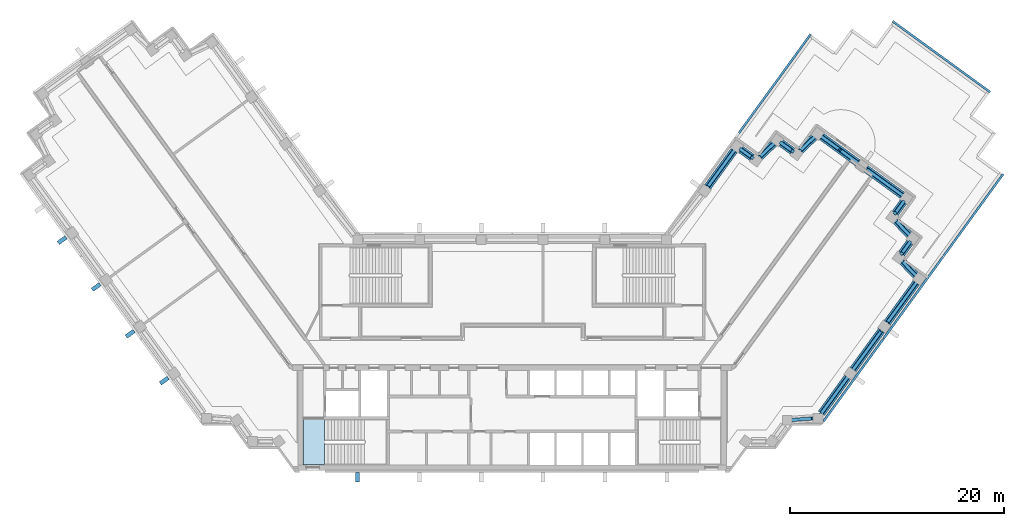
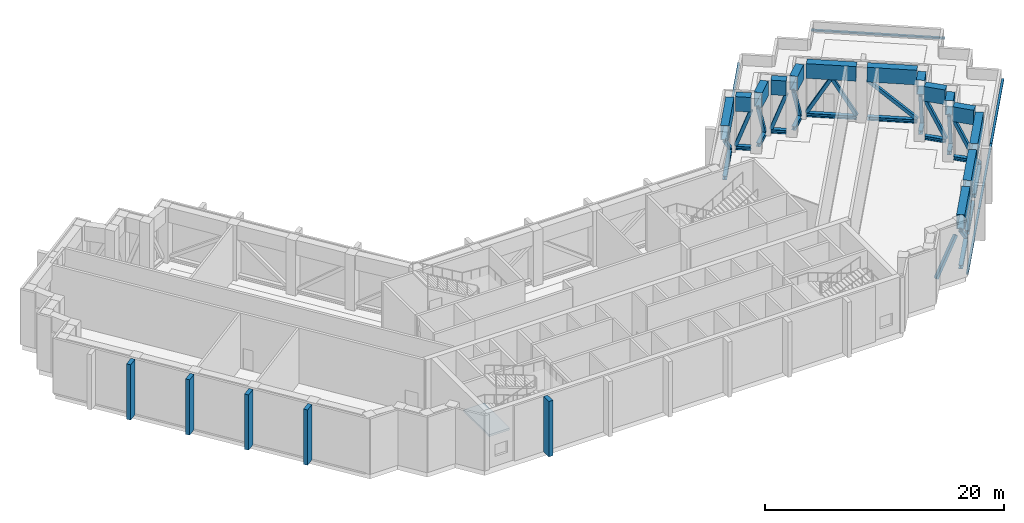
"""IFC4 building model written with IfcOpenShell, lengths in metres."""

from ifc_helpers import new_model, si_unit, direction, frame, origin, origin_2d, place, context, subcontext, project, spatial, polyline, rectangle, hollow_rectangle, i_section, outline, extrude, material, layer, layer_set, material_profile, profile_set, type_object, element, aggregate, save


model = new_model("IFC4")

# Units and contexts
model_context = context("Model", 3, precision=1e-05, world=origin(), true_north=direction((0.0, 1.0)))
body_context = subcontext(model_context, "Body", "Model", "MODEL_VIEW")
ifc_project = project(units=[si_unit("LENGTHUNIT", "METRE"), si_unit("AREAUNIT", "SQUARE_METRE"), si_unit("VOLUMEUNIT", "CUBIC_METRE"), si_unit("PLANEANGLEUNIT", "RADIAN"), si_unit("MASSUNIT", "GRAM", prefix="KILO")], contexts=[model_context])

# Site, building, storey
site_placement = place(None, origin())
site = spatial("IfcSite", under=ifc_project, at=site_placement, CompositionType="ELEMENT")
building_placement = place(site_placement, origin())
building = spatial("IfcBuilding", under=site, at=building_placement, Name="Quipu Civic Tower", CompositionType="ELEMENT")
storey_1_placement = place(building_placement, frame((0.0, 0.0, 188.0)))
storey_1 = spatial("IfcBuildingStorey", under=building, at=storey_1_placement, Name="L44", CompositionType="ELEMENT", Elevation=188.0)

# Beams
ifc_material_1 = material(Name="Steel ASTM A992 Grade 50 (fy 345 MPa)", Category="steel")
ifc_material_profile_1 = material_profile(ifc_material_1, i_section(OverallWidth=0.3740234375, OverallDepth=0.372314453125, WebThickness=0.016357421875, FlangeThickness=0.026123046875, at=origin_2d()), Name="W360x196")
ifc_profile_set_1 = profile_set([ifc_material_profile_1], Name="Steel ASTM A992 Grade 50 (fy 345 MPa)")
beam_type_1 = type_object("IfcBeamType", Name="Belt truss bottom chord W360x196", PredefinedType="BEAM", material=ifc_profile_set_1)
beam_1_placement = place(storey_1_placement, frame((28.85205078125, -5.679931640625, 0.2861328125), z_axis=(0.587750565781, 0.809042194464, 0.0), x_axis=(-0.809042194464, 0.587750565781, 0.0)))
element("IfcBeam", 1, at=beam_1_placement, inside=storey_1, type_object=beam_type_1, Name="Truss bottom chord L44 J-Eo.4 to E-OUT-01", PredefinedType="BEAM", context=body_context, shape_type="SweptSolid", body=[
    extrude(i_section(OverallWidth=0.3740234375, OverallDepth=0.372314453125, WebThickness=0.016357421875, FlangeThickness=0.026123046875, at=origin_2d()), origin(), (0.0, 0.0, 1.0), 4.13720703125),
])
beam_2_placement = place(storey_1_placement, frame((31.812744140625, -1.604736328125, 0.2861328125), z_axis=(0.587778073121, 0.809022210299, 0.0), x_axis=(-0.809022210299, 0.587778073121, 0.0)))
element("IfcBeam", 2, at=beam_2_placement, inside=storey_1, type_object=beam_type_1, Name="Truss bottom chord L44 E-OUT-01 to E-OUT-02", PredefinedType="BEAM", context=body_context, shape_type="SweptSolid", body=[
    extrude(i_section(OverallWidth=0.3740234375, OverallDepth=0.372314453125, WebThickness=0.016357421875, FlangeThickness=0.026123046875, at=origin_2d()), origin(), (0.0, 0.0, 1.0), 4.5),
])
beam_3_placement = place(storey_1_placement, frame((34.98681640625, 2.763916015625, 0.2861328125), z_axis=(0.587910160294, 0.808926228666, 0.0), x_axis=(-0.808926228666, 0.587910160294, 0.0)))
element("IfcBeam", 3, at=beam_3_placement, inside=storey_1, type_object=beam_type_1, Name="Truss bottom chord L44 E-OUT-02 to T-Eo.0-E22", PredefinedType="BEAM", context=body_context, shape_type="SweptSolid", body=[
    extrude(i_section(OverallWidth=0.3740234375, OverallDepth=0.372314453125, WebThickness=0.016357421875, FlangeThickness=0.026123046875, at=origin_2d()), origin(), (0.0, 0.0, 1.0), 4.607421875),
])
beam_4_placement = place(storey_1_placement, frame((37.644775390625, 7.1865234375, 0.2861328125), z_axis=(-0.689208641143, 0.724562936517, 0.0), x_axis=(-0.724562936517, -0.689208641143, 0.0)))
element("IfcBeam", 4, at=beam_4_placement, inside=storey_1, type_object=beam_type_1, Name="Truss bottom chord L44 T-Eo.0-E22 to T-Eo.1-E22", PredefinedType="BEAM", context=body_context, shape_type="SweptSolid", body=[
    extrude(i_section(OverallWidth=0.3740234375, OverallDepth=0.372314453125, WebThickness=0.016357421875, FlangeThickness=0.026123046875, at=origin_2d()), origin(), (0.0, 0.0, 1.0), 1.830078125),
])
beam_5_placement = place(storey_1_placement, frame((36.33251953125, 9.208251953125, 0.2861328125), z_axis=(0.587032192195, 0.809563589428, 0.0), x_axis=(-0.809563589428, 0.587032192195, 0.0)))
element("IfcBeam", 5, at=beam_5_placement, inside=storey_1, type_object=beam_type_1, Name="Truss bottom chord L44 T-Eo.1-E22 to T-Eo.2-E22", PredefinedType="BEAM", context=body_context, shape_type="SweptSolid", body=[
    extrude(i_section(OverallWidth=0.3740234375, OverallDepth=0.372314453125, WebThickness=0.016357421875, FlangeThickness=0.026123046875, at=origin_2d()), origin(), (0.0, 0.0, 1.0), 1.300048828125),
])
beam_6_placement = place(storey_1_placement, frame((37.044921875, 10.95703125, 0.2861328125), z_axis=(-0.688247827237, 0.725475656589, 0.0), x_axis=(-0.725475656589, -0.688247827237, 0.0)))
element("IfcBeam", 6, at=beam_6_placement, inside=storey_1, type_object=beam_type_1, Name="Truss bottom chord L44 T-Eo.2-E22 to T-Eo.3-E22", PredefinedType="BEAM", context=body_context, shape_type="SweptSolid", body=[
    extrude(i_section(OverallWidth=0.3740234375, OverallDepth=0.372314453125, WebThickness=0.016357421875, FlangeThickness=0.026123046875, at=origin_2d()), origin(), (0.0, 0.0, 1.0), 1.82958984375),
])
beam_7_placement = place(storey_1_placement, frame((35.735595703125, 12.980224609375, 0.2861328125), z_axis=(0.588305713889, 0.808638600987, 0.0), x_axis=(-0.808638600987, 0.588305713889, 0.0)))
element("IfcBeam", 7, at=beam_7_placement, inside=storey_1, type_object=beam_type_1, Name="Truss bottom chord L44 T-Eo.3-E22 to T-Eo.4-E22", PredefinedType="BEAM", context=body_context, shape_type="SweptSolid", body=[
    extrude(i_section(OverallWidth=0.3740234375, OverallDepth=0.372314453125, WebThickness=0.016357421875, FlangeThickness=0.026123046875, at=origin_2d()), origin(), (0.0, 0.0, 1.0), 1.2998046875),
])
beam_8_placement = place(storey_1_placement, frame((36.40087890625, 14.659423828125, 0.2861328125), z_axis=(-0.809122834537, 0.587639548219, 0.0), x_axis=(-0.587639548219, -0.809122834537, 0.0)))
element("IfcBeam", 8, at=beam_8_placement, inside=storey_1, type_object=beam_type_1, Name="Truss bottom chord L44 T-Eo.4-E22 to TIP-E-01-E22", PredefinedType="BEAM", context=body_context, shape_type="SweptSolid", body=[
    extrude(i_section(OverallWidth=0.3740234375, OverallDepth=0.372314453125, WebThickness=0.016357421875, FlangeThickness=0.026123046875, at=origin_2d()), origin(), (0.0, 0.0, 1.0), 4.201904296875),
])
beam_9_placement = place(storey_1_placement, frame((32.272705078125, 17.657470703125, 0.2861328125), z_axis=(-0.809160658502, 0.587587464751, 0.0), x_axis=(-0.587587464751, -0.809160658502, 0.0)))
element("IfcBeam", 9, at=beam_9_placement, inside=storey_1, type_object=beam_type_1, Name="Truss bottom chord L44 TIP-E-01-E22 to T-Ei.0-E22", PredefinedType="BEAM", context=body_context, shape_type="SweptSolid", body=[
    extrude(i_section(OverallWidth=0.3740234375, OverallDepth=0.372314453125, WebThickness=0.016357421875, FlangeThickness=0.026123046875, at=origin_2d()), origin(), (0.0, 0.0, 1.0), 4.2001953125),
])
beam_10_placement = place(storey_1_placement, frame((28.177978515625, 20.074951171875, 0.2861328125), z_axis=(-0.725282573816, -0.688451296839, 0.0), x_axis=(0.688451296839, -0.725282573816, 0.0)))
element("IfcBeam", 10, at=beam_10_placement, inside=storey_1, type_object=beam_type_1, Name="Truss bottom chord L44 T-Ei.0-E22 to T-Ei.1-E22", PredefinedType="BEAM", context=body_context, shape_type="SweptSolid", body=[
    extrude(i_section(OverallWidth=0.3740234375, OverallDepth=0.372314453125, WebThickness=0.016357421875, FlangeThickness=0.026123046875, at=origin_2d()), origin(), (0.0, 0.0, 1.0), 1.82958984375),
])
beam_11_placement = place(storey_1_placement, frame((26.155029296875, 18.765380859375, 0.2861328125), z_axis=(-0.808614258659, 0.588339171477, 0.0), x_axis=(-0.588339171477, -0.808614258659, 0.0)))
element("IfcBeam", 11, at=beam_11_placement, inside=storey_1, type_object=beam_type_1, Name="Truss bottom chord L44 T-Ei.1-E22 to T-Ei.2-E22", PredefinedType="BEAM", context=body_context, shape_type="SweptSolid", body=[
    extrude(i_section(OverallWidth=0.3740234375, OverallDepth=0.372314453125, WebThickness=0.016357421875, FlangeThickness=0.026123046875, at=origin_2d()), origin(), (0.0, 0.0, 1.0), 1.300048828125),
])
beam_12_placement = place(storey_1_placement, frame((24.408203125, 19.479736328125, 0.2861328125), z_axis=(-0.725145961037, -0.688595189638, 0.0), x_axis=(0.688595189638, -0.725145961037, 0.0)))
element("IfcBeam", 12, at=beam_12_placement, inside=storey_1, type_object=beam_type_1, Name="Truss bottom chord L44 T-Ei.2-E22 to T-Ei.3-E22", PredefinedType="BEAM", context=body_context, shape_type="SweptSolid", body=[
    extrude(i_section(OverallWidth=0.3740234375, OverallDepth=0.372314453125, WebThickness=0.016357421875, FlangeThickness=0.026123046875, at=origin_2d()), origin(), (0.0, 0.0, 1.0), 1.830078125),
])
beam_13_placement = place(storey_1_placement, frame((22.385009765625, 18.16845703125, 0.2861328125), z_axis=(-0.809467418951, 0.587164795996, 0.0), x_axis=(-0.587164795996, -0.809467418951, 0.0)))
element("IfcBeam", 13, at=beam_13_placement, inside=storey_1, type_object=beam_type_1, Name="Truss bottom chord L44 T-Ei.3-E22 to T-Ei.4-E22", PredefinedType="BEAM", context=body_context, shape_type="SweptSolid", body=[
    extrude(i_section(OverallWidth=0.3740234375, OverallDepth=0.372314453125, WebThickness=0.016357421875, FlangeThickness=0.026123046875, at=origin_2d()), origin(), (0.0, 0.0, 1.0), 1.298095703125),
])
beam_14_placement = place(storey_1_placement, frame((20.705322265625, 18.8310546875, 0.2861328125), z_axis=(-0.588182080503, -0.808728533054, 0.0), x_axis=(0.808728533054, -0.588182080503, 0.0)))
element("IfcBeam", 14, at=beam_14_placement, inside=storey_1, type_object=beam_type_1, Name="Truss bottom chord L44 T-Ei.4-E22 to E-IN-01", PredefinedType="BEAM", context=body_context, shape_type="SweptSolid", body=[
    extrude(i_section(OverallWidth=0.3740234375, OverallDepth=0.372314453125, WebThickness=0.016357421875, FlangeThickness=0.026123046875, at=origin_2d()), origin(), (0.0, 0.0, 1.0), 4.1943359375),
])

# Members
ifc_material_2 = material(Name="Steel ASTM A500 Grade C (fy 345 MPa)", Category="steel")
ifc_material_profile_2 = material_profile(ifc_material_2, hollow_rectangle(XDim=0.3046875, YDim=0.3046875, WallThickness=0.0126953125, at=origin_2d()), Name="HSS305x305x13")
ifc_profile_set_2 = profile_set([ifc_material_profile_2], Name="Steel ASTM A500 Grade C (fy 345 MPa)")
member_type_1 = type_object("IfcMemberType", Name="Belt truss diagonal HSS305x305x13", PredefinedType="BRACE", material=ifc_profile_set_2)
member_1_placement = place(storey_1_placement, frame((26.123291015625, -6.304443359375, 0.472412109375), z_axis=(0.468736130303, 0.03404621724, 0.882681876579), x_axis=(-0.072443235904, 0.997372537005, 0.0)))
element("IfcMember", 15, at=member_1_placement, inside=storey_1, type_object=member_type_1, Name="Truss diagonal L44 J-Eo.3 to J-Eo.4", PredefinedType="BRACE", context=body_context, shape_type="SweptSolid", body=[
    extrude(hollow_rectangle(XDim=0.3046875, YDim=0.3046875, WallThickness=0.0126953125, at=origin_2d()), origin(), (0.0, 0.0, 1.0), 4.166259765625),
])
member_2_placement = place(storey_1_placement, frame((28.78955078125, -5.765869140625, 4.14990234375), z_axis=(0.444173716146, 0.611391033325, -0.654912753163), x_axis=(-0.809034531764, 0.58776111339, 0.0)))
element("IfcMember", 16, at=member_2_placement, inside=storey_1, type_object=member_type_1, Name="Truss diagonal L44 J-Eo.4 to E-OUT-01", PredefinedType="BRACE", context=body_context, shape_type="SweptSolid", body=[
    extrude(hollow_rectangle(XDim=0.3046875, YDim=0.3046875, WallThickness=0.0126953125, at=origin_2d()), origin(), (0.0, 0.0, 1.0), 5.615234375),
])
member_3_placement = place(storey_1_placement, frame((31.812744140625, -1.604736328125, 0.472412109375), z_axis=(0.455130838756, 0.626445548046, 0.632788981372), x_axis=(-0.809022210299, 0.587778073121, 0.0)))
element("IfcMember", 17, at=member_3_placement, inside=storey_1, type_object=member_type_1, Name="Truss diagonal L44 E-OUT-01 to E-OUT-02", PredefinedType="BRACE", context=body_context, shape_type="SweptSolid", body=[
    extrude(hollow_rectangle(XDim=0.3046875, YDim=0.3046875, WallThickness=0.0126953125, at=origin_2d()), origin(), (0.0, 0.0, 1.0), 5.8115234375),
])
member_4_placement = place(storey_1_placement, frame((34.98681640625, 2.763916015625, 4.14990234375), z_axis=(0.459490709171, 0.632229397584, -0.623822312054), x_axis=(-0.808926228666, 0.587910160294, 0.0)))
element("IfcMember", 18, at=member_4_placement, inside=storey_1, type_object=member_type_1, Name="Truss diagonal L44 E-OUT-02 to T-Eo.0-E22", PredefinedType="BRACE", context=body_context, shape_type="SweptSolid", body=[
    extrude(hollow_rectangle(XDim=0.3046875, YDim=0.3046875, WallThickness=0.0126953125, at=origin_2d()), origin(), (0.0, 0.0, 1.0), 5.89501953125),
])
member_5_placement = place(storey_1_placement, frame((37.64990234375, 7.18115234375, 0.472412109375), z_axis=(-0.30903587141, 0.324938638987, 0.893818611954), x_axis=(-0.724616080803, -0.689152766403, 0.0)))
element("IfcMember", 19, at=member_5_placement, inside=storey_1, type_object=member_type_1, Name="Truss diagonal L44 T-Eo.0-E22 to T-Eo.1-E22", PredefinedType="BRACE", context=body_context, shape_type="SweptSolid", body=[
    extrude(hollow_rectangle(XDim=0.3046875, YDim=0.3046875, WallThickness=0.0126953125, at=origin_2d()), origin(), (0.0, 0.0, 1.0), 4.1142578125),
])
member_6_placement = place(storey_1_placement, frame((36.33251953125, 9.208251953125, 4.14990234375), z_axis=(0.195661607298, 0.269832754018, -0.942818551095), x_axis=(-0.809563589428, 0.587032192195, 0.0)))
element("IfcMember", 20, at=member_6_placement, inside=storey_1, type_object=member_type_1, Name="Truss diagonal L44 T-Eo.1-E22 to T-Eo.2-E22", PredefinedType="BRACE", context=body_context, shape_type="SweptSolid", body=[
    extrude(hollow_rectangle(XDim=0.3046875, YDim=0.3046875, WallThickness=0.0126953125, at=origin_2d()), origin(), (0.0, 0.0, 1.0), 3.900634765625),
])
member_7_placement = place(storey_1_placement, frame((37.05029296875, 10.951416015625, 0.472412109375), z_axis=(-0.308618408783, 0.325351804529, 0.893812553643), x_axis=(-0.725517906801, -0.688203288942, 0.0)))
element("IfcMember", 21, at=member_7_placement, inside=storey_1, type_object=member_type_1, Name="Truss diagonal L44 T-Eo.2-E22 to T-Eo.3-E22", PredefinedType="BRACE", context=body_context, shape_type="SweptSolid", body=[
    extrude(hollow_rectangle(XDim=0.3046875, YDim=0.3046875, WallThickness=0.0126953125, at=origin_2d()), origin(), (0.0, 0.0, 1.0), 4.114501953125),
])
member_8_placement = place(storey_1_placement, frame((35.735595703125, 12.980224609375, 4.14990234375), z_axis=(0.196042590596, 0.26946467194, -0.942844681402), x_axis=(-0.808638600987, 0.588305713889, 0.0)))
element("IfcMember", 22, at=member_8_placement, inside=storey_1, type_object=member_type_1, Name="Truss diagonal L44 T-Eo.3-E22 to T-Eo.4-E22", PredefinedType="BRACE", context=body_context, shape_type="SweptSolid", body=[
    extrude(hollow_rectangle(XDim=0.3046875, YDim=0.3046875, WallThickness=0.0126953125, at=origin_2d()), origin(), (0.0, 0.0, 1.0), 3.900390625),
])
member_9_placement = place(storey_1_placement, frame((36.40087890625, 14.659423828125, 0.472412109375), z_axis=(-0.608871359085, 0.442203427099, 0.658583174055), x_axis=(-0.587639548219, -0.809122834537, 0.0)))
element("IfcMember", 23, at=member_9_placement, inside=storey_1, type_object=member_type_1, Name="Truss diagonal L44 T-Eo.4-E22 to TIP-E-01-E22", PredefinedType="BRACE", context=body_context, shape_type="SweptSolid", body=[
    extrude(hollow_rectangle(XDim=0.3046875, YDim=0.3046875, WallThickness=0.0126953125, at=origin_2d()), origin(), (0.0, 0.0, 1.0), 5.583984375),
])
for number, where, z_axis, x_axis, name in (
    (24, (32.272705078125, 17.657470703125, 0.472412109375), (-0.401241991357, 0.291419291136, 0.868377602846), (-0.587653156371, -0.809112951205, 0.0), "Truss diagonal L44 TIP-E-01-E22 to T-Ei.0-E22 half 1"),
    (25, (28.8740234375, 20.12548828125, 0.472412109375), (0.401297099032, -0.291359795792, 0.8683721021), (0.58752177095, 0.809208359237, 0.0), "Truss diagonal L44 TIP-E-01-E22 to T-Ei.0-E22 half 2"),
):
    element("IfcMember", number, at=place(storey_1_placement, frame(where, z_axis=z_axis, x_axis=x_axis)), inside=storey_1, type_object=member_type_1, Name=name, PredefinedType="BRACE", context=body_context, shape_type="SweptSolid", body=[
        extrude(hollow_rectangle(XDim=0.3046875, YDim=0.3046875, WallThickness=0.0126953125, at=origin_2d()), origin(), (0.0, 0.0, 1.0), 4.23486328125),
    ])
member_10_placement = place(storey_1_placement, frame((28.18359375, 20.080322265625, 0.472412109375), z_axis=(-0.325239727127, -0.308684010311, 0.893830689603), x_axis=(0.688405070588, -0.725326449806, 0.0)))
element("IfcMember", 26, at=member_10_placement, inside=storey_1, type_object=member_type_1, Name="Truss diagonal L44 T-Ei.0-E22 to T-Ei.1-E22", PredefinedType="BRACE", context=body_context, shape_type="SweptSolid", body=[
    extrude(hollow_rectangle(XDim=0.3046875, YDim=0.3046875, WallThickness=0.0126953125, at=origin_2d()), origin(), (0.0, 0.0, 1.0), 4.1142578125),
])
member_11_placement = place(storey_1_placement, frame((26.155029296875, 18.765380859375, 4.14990234375), z_axis=(-0.269519411245, 0.196099469445, -0.942817206592), x_axis=(-0.588339171477, -0.808614258659, 0.0)))
element("IfcMember", 27, at=member_11_placement, inside=storey_1, type_object=member_type_1, Name="Truss diagonal L44 T-Ei.1-E22 to T-Ei.2-E22", PredefinedType="BRACE", context=body_context, shape_type="SweptSolid", body=[
    extrude(hollow_rectangle(XDim=0.3046875, YDim=0.3046875, WallThickness=0.0126953125, at=origin_2d()), origin(), (0.0, 0.0, 1.0), 3.900634765625),
])
member_12_placement = place(storey_1_placement, frame((24.413818359375, 19.485107421875, 0.472412109375), z_axis=(-0.325215890725, -0.308898727808, 0.893765181901), x_axis=(0.688683402733, -0.725062184092, 0.0)))
element("IfcMember", 28, at=member_12_placement, inside=storey_1, type_object=member_type_1, Name="Truss diagonal L44 T-Ei.2-E22 to T-Ei.3-E22", PredefinedType="BRACE", context=body_context, shape_type="SweptSolid", body=[
    extrude(hollow_rectangle(XDim=0.3046875, YDim=0.3046875, WallThickness=0.0126953125, at=origin_2d()), origin(), (0.0, 0.0, 1.0), 4.114501953125),
])
member_13_placement = place(storey_1_placement, frame((22.385009765625, 18.16845703125, 4.14990234375), z_axis=(-0.269439635263, 0.195443898999, -0.942976121274), x_axis=(-0.587164795996, -0.809467418951, 0.0)))
element("IfcMember", 29, at=member_13_placement, inside=storey_1, type_object=member_type_1, Name="Truss diagonal L44 T-Ei.3-E22 to T-Ei.4-E22", PredefinedType="BRACE", context=body_context, shape_type="SweptSolid", body=[
    extrude(hollow_rectangle(XDim=0.3046875, YDim=0.3046875, WallThickness=0.0126953125, at=origin_2d()), origin(), (0.0, 0.0, 1.0), 3.89990234375),
])
member_14_placement = place(storey_1_placement, frame((20.705322265625, 18.8310546875, 0.472412109375), z_axis=(-0.442263403771, -0.60809576764, 0.659259144088), x_axis=(0.808728533054, -0.588182080503, 0.0)))
element("IfcMember", 30, at=member_14_placement, inside=storey_1, type_object=member_type_1, Name="Truss diagonal L44 T-Ei.4-E22 to E-IN-01", PredefinedType="BRACE", context=body_context, shape_type="SweptSolid", body=[
    extrude(hollow_rectangle(XDim=0.3046875, YDim=0.3046875, WallThickness=0.0126953125, at=origin_2d()), origin(), (0.0, 0.0, 1.0), 5.578125),
])

# Beams
ifc_material_3 = material(Name="Steel ASTM A572 Grade 50 (fy 345 MPa)", Category="steel")
ifc_material_profile_3 = material_profile(ifc_material_3, hollow_rectangle(XDim=0.699951171875, YDim=1.5, WallThickness=0.050048828125, at=origin_2d()), Name="BX1500x700x50")
ifc_profile_set_3 = profile_set([ifc_material_profile_3], Name="Steel ASTM A572 Grade 50 (fy 345 MPa)")
beam_type_2 = type_object("IfcBeamType", Name="Belt truss top chord BX1500x700x50", PredefinedType="BEAM", material=ifc_profile_set_3)
beam_15_placement = place(storey_1_placement, frame((28.85205078125, -5.679931640625, 4.89990234375), z_axis=(0.587750565781, 0.809042194464, 0.0), x_axis=(-0.809042194464, 0.587750565781, 0.0)))
element("IfcBeam", 31, at=beam_15_placement, inside=storey_1, type_object=beam_type_2, Name="Truss top chord L44 J-Eo.4 to E-OUT-01", PredefinedType="BEAM", context=body_context, shape_type="SweptSolid", body=[
    extrude(hollow_rectangle(XDim=0.699951171875, YDim=1.5, WallThickness=0.050048828125, at=origin_2d()), origin(), (0.0, 0.0, 1.0), 4.13720703125),
])
beam_16_placement = place(storey_1_placement, frame((31.812744140625, -1.604736328125, 4.89990234375), z_axis=(0.587778073121, 0.809022210299, 0.0), x_axis=(-0.809022210299, 0.587778073121, 0.0)))
element("IfcBeam", 32, at=beam_16_placement, inside=storey_1, type_object=beam_type_2, Name="Truss top chord L44 E-OUT-01 to E-OUT-02", PredefinedType="BEAM", context=body_context, shape_type="SweptSolid", body=[
    extrude(hollow_rectangle(XDim=0.699951171875, YDim=1.5, WallThickness=0.050048828125, at=origin_2d()), origin(), (0.0, 0.0, 1.0), 4.5),
])
beam_17_placement = place(storey_1_placement, frame((34.98681640625, 2.763916015625, 4.89990234375), z_axis=(0.587910160294, 0.808926228666, 0.0), x_axis=(-0.808926228666, 0.587910160294, 0.0)))
element("IfcBeam", 33, at=beam_17_placement, inside=storey_1, type_object=beam_type_2, Name="Truss top chord L44 E-OUT-02 to T-Eo.0-E22", PredefinedType="BEAM", context=body_context, shape_type="SweptSolid", body=[
    extrude(hollow_rectangle(XDim=0.699951171875, YDim=1.5, WallThickness=0.050048828125, at=origin_2d()), origin(), (0.0, 0.0, 1.0), 4.607421875),
])
beam_18_placement = place(storey_1_placement, frame((37.644775390625, 7.1865234375, 4.89990234375), z_axis=(-0.689208641143, 0.724562936517, 0.0), x_axis=(-0.724562936517, -0.689208641143, 0.0)))
element("IfcBeam", 34, at=beam_18_placement, inside=storey_1, type_object=beam_type_2, Name="Truss top chord L44 T-Eo.0-E22 to T-Eo.1-E22", PredefinedType="BEAM", context=body_context, shape_type="SweptSolid", body=[
    extrude(hollow_rectangle(XDim=0.699951171875, YDim=1.5, WallThickness=0.050048828125, at=origin_2d()), origin(), (0.0, 0.0, 1.0), 1.830078125),
])
beam_19_placement = place(storey_1_placement, frame((36.33251953125, 9.208251953125, 4.89990234375), z_axis=(0.587032192195, 0.809563589428, 0.0), x_axis=(-0.809563589428, 0.587032192195, 0.0)))
element("IfcBeam", 35, at=beam_19_placement, inside=storey_1, type_object=beam_type_2, Name="Truss top chord L44 T-Eo.1-E22 to T-Eo.2-E22", PredefinedType="BEAM", context=body_context, shape_type="SweptSolid", body=[
    extrude(hollow_rectangle(XDim=0.699951171875, YDim=1.5, WallThickness=0.050048828125, at=origin_2d()), origin(), (0.0, 0.0, 1.0), 1.300048828125),
])
beam_20_placement = place(storey_1_placement, frame((37.044921875, 10.95703125, 4.89990234375), z_axis=(-0.688247827237, 0.725475656589, 0.0), x_axis=(-0.725475656589, -0.688247827237, 0.0)))
element("IfcBeam", 36, at=beam_20_placement, inside=storey_1, type_object=beam_type_2, Name="Truss top chord L44 T-Eo.2-E22 to T-Eo.3-E22", PredefinedType="BEAM", context=body_context, shape_type="SweptSolid", body=[
    extrude(hollow_rectangle(XDim=0.699951171875, YDim=1.5, WallThickness=0.050048828125, at=origin_2d()), origin(), (0.0, 0.0, 1.0), 1.82958984375),
])
beam_21_placement = place(storey_1_placement, frame((35.735595703125, 12.980224609375, 4.89990234375), z_axis=(0.588305713889, 0.808638600987, 0.0), x_axis=(-0.808638600987, 0.588305713889, 0.0)))
element("IfcBeam", 37, at=beam_21_placement, inside=storey_1, type_object=beam_type_2, Name="Truss top chord L44 T-Eo.3-E22 to T-Eo.4-E22", PredefinedType="BEAM", context=body_context, shape_type="SweptSolid", body=[
    extrude(hollow_rectangle(XDim=0.699951171875, YDim=1.5, WallThickness=0.050048828125, at=origin_2d()), origin(), (0.0, 0.0, 1.0), 1.2998046875),
])
beam_22_placement = place(storey_1_placement, frame((36.40087890625, 14.659423828125, 4.89990234375), z_axis=(-0.809122834537, 0.587639548219, 0.0), x_axis=(-0.587639548219, -0.809122834537, 0.0)))
element("IfcBeam", 38, at=beam_22_placement, inside=storey_1, type_object=beam_type_2, Name="Truss top chord L44 T-Eo.4-E22 to TIP-E-01-E22", PredefinedType="BEAM", context=body_context, shape_type="SweptSolid", body=[
    extrude(hollow_rectangle(XDim=0.699951171875, YDim=1.5, WallThickness=0.050048828125, at=origin_2d()), origin(), (0.0, 0.0, 1.0), 4.201904296875),
])
beam_23_placement = place(storey_1_placement, frame((32.272705078125, 17.657470703125, 4.89990234375), z_axis=(-0.809160658502, 0.587587464751, 0.0), x_axis=(-0.587587464751, -0.809160658502, 0.0)))
element("IfcBeam", 39, at=beam_23_placement, inside=storey_1, type_object=beam_type_2, Name="Truss top chord L44 TIP-E-01-E22 to T-Ei.0-E22", PredefinedType="BEAM", context=body_context, shape_type="SweptSolid", body=[
    extrude(hollow_rectangle(XDim=0.699951171875, YDim=1.5, WallThickness=0.050048828125, at=origin_2d()), origin(), (0.0, 0.0, 1.0), 4.2001953125),
])
beam_24_placement = place(storey_1_placement, frame((28.177978515625, 20.074951171875, 4.89990234375), z_axis=(-0.725282573816, -0.688451296839, 0.0), x_axis=(0.688451296839, -0.725282573816, 0.0)))
element("IfcBeam", 40, at=beam_24_placement, inside=storey_1, type_object=beam_type_2, Name="Truss top chord L44 T-Ei.0-E22 to T-Ei.1-E22", PredefinedType="BEAM", context=body_context, shape_type="SweptSolid", body=[
    extrude(hollow_rectangle(XDim=0.699951171875, YDim=1.5, WallThickness=0.050048828125, at=origin_2d()), origin(), (0.0, 0.0, 1.0), 1.82958984375),
])
beam_25_placement = place(storey_1_placement, frame((26.155029296875, 18.765380859375, 4.89990234375), z_axis=(-0.808614258659, 0.588339171477, 0.0), x_axis=(-0.588339171477, -0.808614258659, 0.0)))
element("IfcBeam", 41, at=beam_25_placement, inside=storey_1, type_object=beam_type_2, Name="Truss top chord L44 T-Ei.1-E22 to T-Ei.2-E22", PredefinedType="BEAM", context=body_context, shape_type="SweptSolid", body=[
    extrude(hollow_rectangle(XDim=0.699951171875, YDim=1.5, WallThickness=0.050048828125, at=origin_2d()), origin(), (0.0, 0.0, 1.0), 1.300048828125),
])
beam_26_placement = place(storey_1_placement, frame((24.408203125, 19.479736328125, 4.89990234375), z_axis=(-0.725145961037, -0.688595189638, 0.0), x_axis=(0.688595189638, -0.725145961037, 0.0)))
element("IfcBeam", 42, at=beam_26_placement, inside=storey_1, type_object=beam_type_2, Name="Truss top chord L44 T-Ei.2-E22 to T-Ei.3-E22", PredefinedType="BEAM", context=body_context, shape_type="SweptSolid", body=[
    extrude(hollow_rectangle(XDim=0.699951171875, YDim=1.5, WallThickness=0.050048828125, at=origin_2d()), origin(), (0.0, 0.0, 1.0), 1.830078125),
])
beam_27_placement = place(storey_1_placement, frame((22.385009765625, 18.16845703125, 4.89990234375), z_axis=(-0.809467418951, 0.587164795996, 0.0), x_axis=(-0.587164795996, -0.809467418951, 0.0)))
element("IfcBeam", 43, at=beam_27_placement, inside=storey_1, type_object=beam_type_2, Name="Truss top chord L44 T-Ei.3-E22 to T-Ei.4-E22", PredefinedType="BEAM", context=body_context, shape_type="SweptSolid", body=[
    extrude(hollow_rectangle(XDim=0.699951171875, YDim=1.5, WallThickness=0.050048828125, at=origin_2d()), origin(), (0.0, 0.0, 1.0), 1.298095703125),
])
beam_28_placement = place(storey_1_placement, frame((20.705322265625, 18.8310546875, 4.89990234375), z_axis=(-0.588182080503, -0.808728533054, 0.0), x_axis=(0.808728533054, -0.588182080503, 0.0)))
element("IfcBeam", 44, at=beam_28_placement, inside=storey_1, type_object=beam_type_2, Name="Truss top chord L44 T-Ei.4-E22 to E-IN-01", PredefinedType="BEAM", context=body_context, shape_type="SweptSolid", body=[
    extrude(hollow_rectangle(XDim=0.699951171875, YDim=1.5, WallThickness=0.050048828125, at=origin_2d()), origin(), (0.0, 0.0, 1.0), 4.1943359375),
])

# Storey
storey_2_placement = place(building_placement, frame((0.0, 0.0, 184.0)))
storey_2 = spatial("IfcBuildingStorey", under=building, at=storey_2_placement, Name="L43", CompositionType="ELEMENT", Elevation=184.0)

# Curtain wall, members
ifc_material_4 = material(Name="Insulated glass unit", Category="glass")
curtain_wall_type = type_object("IfcCurtainWallType", Name="Office curtain wall CW1", PredefinedType="NOTDEFINED", material=ifc_material_4)
curtain_wall_1_placement = place(storey_2_placement, origin())
curtain_wall_1 = element("IfcCurtainWall", 45, at=curtain_wall_1_placement, inside=storey_2, type_object=curtain_wall_type, Name="Office curtain wall CW1 L42 run 20", PredefinedType="NOTDEFINED")
ifc_material_5 = material(Name="Anodised aluminium", Category="aluminium")
ifc_material_profile_4 = material_profile(ifc_material_5, rectangle(XDim=0.199951171875, YDim=0.159912109375, at=origin_2d()), Name="RECT 200x160")
ifc_profile_set_4 = profile_set([ifc_material_profile_4], Name="Anodised aluminium")
member_type_2 = type_object("IfcMemberType", Name="Transom CW1", PredefinedType="USERDEFINED", material=ifc_profile_set_4)
member_15_placement = place(storey_1_placement, frame((29.052978515625, -6.424072265625, 0.0), z_axis=(0.587783783239, 0.809018061703, 0.0), x_axis=(-0.809018061703, 0.587783783239, 0.0)))
member_15 = element("IfcMember", 46, at=member_15_placement, inside=storey_1, type_object=member_type_2, Name="CW1 transom 1.3", ObjectType="TRANSOM", PredefinedType="USERDEFINED", context=body_context, shape_type="SweptSolid", body=[
    extrude(rectangle(XDim=0.199951171875, YDim=0.159912109375, at=origin_2d()), origin(), (0.0, 0.0, 1.0), 9.431884765625),
])
member_16_placement = place(storey_1_placement, frame((34.64404296875, 1.271240234375, 0.0), z_axis=(0.587773158676, 0.809025780763, 0.0), x_axis=(-0.809025780763, 0.587773158676, 0.0)))
member_16 = element("IfcMember", 47, at=member_16_placement, inside=storey_1, type_object=member_type_2, Name="CW1 transom 2.3", ObjectType="TRANSOM", PredefinedType="USERDEFINED", context=body_context, shape_type="SweptSolid", body=[
    extrude(rectangle(XDim=0.199951171875, YDim=0.159912109375, at=origin_2d()), origin(), (0.0, 0.0, 1.0), 9.471923828125),
])
member_17_placement = place(storey_1_placement, frame((40.258544921875, 8.9990234375, 0.0), z_axis=(0.587783783239, 0.809018061703, 0.0), x_axis=(-0.809018061703, 0.587783783239, 0.0)))
member_17 = element("IfcMember", 48, at=member_17_placement, inside=storey_1, type_object=member_type_2, Name="CW1 transom 3.3", ObjectType="TRANSOM", PredefinedType="USERDEFINED", context=body_context, shape_type="SweptSolid", body=[
    extrude(rectangle(XDim=0.199951171875, YDim=0.159912109375, at=origin_2d()), origin(), (0.0, 0.0, 1.0), 9.431884765625),
])
aggregate(curtain_wall_1, [member_15, member_16, member_17])

# Curtain wall, member
curtain_wall_2_placement = place(storey_2_placement, origin())
curtain_wall_2 = element("IfcCurtainWall", 49, at=curtain_wall_2_placement, inside=storey_2, type_object=curtain_wall_type, Name="Office curtain wall CW1 L42 run 25", PredefinedType="NOTDEFINED")
member_18_placement = place(storey_1_placement, frame((44.590087890625, 24.2841796875, 0.0), z_axis=(-0.809014959561, 0.587788052963, 0.0), x_axis=(-0.587788052963, -0.809014959561, 0.0)))
member_18 = element("IfcMember", 50, at=member_18_placement, inside=storey_1, type_object=member_type_2, Name="CW1 transom 1.3", ObjectType="TRANSOM", PredefinedType="USERDEFINED", context=body_context, shape_type="SweptSolid", body=[
    extrude(rectangle(XDim=0.199951171875, YDim=0.159912109375, at=origin_2d()), origin(), (0.0, 0.0, 1.0), 11.239990234375),
])
aggregate(curtain_wall_2, [member_18])

curtain_wall_3_placement = place(storey_2_placement, origin())
curtain_wall_3 = element("IfcCurtainWall", 51, at=curtain_wall_3_placement, inside=storey_2, type_object=curtain_wall_type, Name="Office curtain wall CW1 L42 run 30", PredefinedType="NOTDEFINED")
member_19_placement = place(storey_1_placement, frame((27.84228515625, 29.678466796875, 0.0), z_axis=(-0.587775682251, -0.809023947331, 0.0), x_axis=(0.809023947331, -0.587775682251, 0.0)))
member_19 = element("IfcMember", 52, at=member_19_placement, inside=storey_1, type_object=member_type_2, Name="CW1 transom 1.3", ObjectType="TRANSOM", PredefinedType="USERDEFINED", context=body_context, shape_type="SweptSolid", body=[
    extrude(rectangle(XDim=0.199951171875, YDim=0.159912109375, at=origin_2d()), origin(), (0.0, 0.0, 1.0), 11.402099609375),
])
aggregate(curtain_wall_3, [member_19])

# Plates
ifc_material_6 = material(Name="Precast concrete C40/50", Category="concrete")
plate_type = type_object("IfcPlateType", Name="Precast fin F2", PredefinedType="SHEET", material=ifc_material_6)
for number, where, z_axis, x_axis, name in (
    (53, (-41.990966796875, 10.46826171875, 0.0), (0.0, 0.0, 1.0), (0.587785620359, -0.809016726959, 0.0), "Precast fin F2 L44.11.2"),
    (54, (-38.81689453125, 6.099609375, 0.0), (0.0, 0.0, 1.0), (0.587785620359, -0.809016726959, 0.0), "Precast fin F2 L44.11.3"),
    (55, (-35.642822265625, 1.73095703125, 0.0), (0.0, 0.0, 1.0), (0.587785620359, -0.809016726959, 0.0), "Precast fin F2 L44.11.4"),
    (56, (-32.46875, -2.637939453125, 0.0), (0.0, 0.0, 1.0), (0.587785620359, -0.809016726959, 0.0), "Precast fin F2 L44.11.5"),
    (57, (-14.431884765625, -11.637939453125, 0.0), (0.0, 0.0, 1.0), (1.0, 0.0, 0.0), "Precast fin F2 L44.17.1"),
):
    element("IfcPlate", number, at=place(storey_1_placement, frame(where, z_axis=z_axis, x_axis=x_axis)), inside=storey_1, type_object=plate_type, Name=name, PredefinedType="SHEET", context=body_context, shape_type="SweptSolid", body=[
        extrude(rectangle(XDim=0.3798828125, YDim=0.89990234375, at=origin_2d()), origin(), (0.0, 0.0, 1.0), 5.64990234375),
    ])

# Stair, slab
ifc_material_7 = material(Name="Concrete C40/50", Category="concrete")
stair_type = type_object("IfcStairType", Name="Half turn stair 2000", PredefinedType="HALF_TURN_STAIR", material=ifc_material_7)
stair_placement = place(storey_1_placement, origin())
stair = element("IfcStair", 58, at=stair_placement, inside=storey_1, type_object=stair_type, Name="Exit stair 1", PredefinedType="HALF_TURN_STAIR")
ifc_material_8 = material(Name="Concrete C40/50", Category="concrete")
ifc_layer = layer(ifc_material_8, 0.199951171875)
ifc_layer_set = layer_set([ifc_layer], Name="Concrete C40/50")
slab_type = type_object("IfcSlabType", Name="Stair landing 200", PredefinedType="LANDING", material=ifc_layer_set)
slab_placement = place(storey_1_placement, frame((0.0, 0.0, 2.800048828125)))
slab = element("IfcSlab", 59, at=slab_placement, type_object=slab_type, Name="ST-1 landing 2", PredefinedType="LANDING", context=body_context, shape_type="SweptSolid", body=[
    extrude(outline(polyline([(-19.5, -10.5), (-17.5, -10.5), (-17.5, -6.25), (-19.5, -6.25), (-19.5, -10.5)])), origin(), (0.0, 0.0, 1.0), 0.199951171875),
])
aggregate(stair, [slab])

save(model, "model.ifc")
